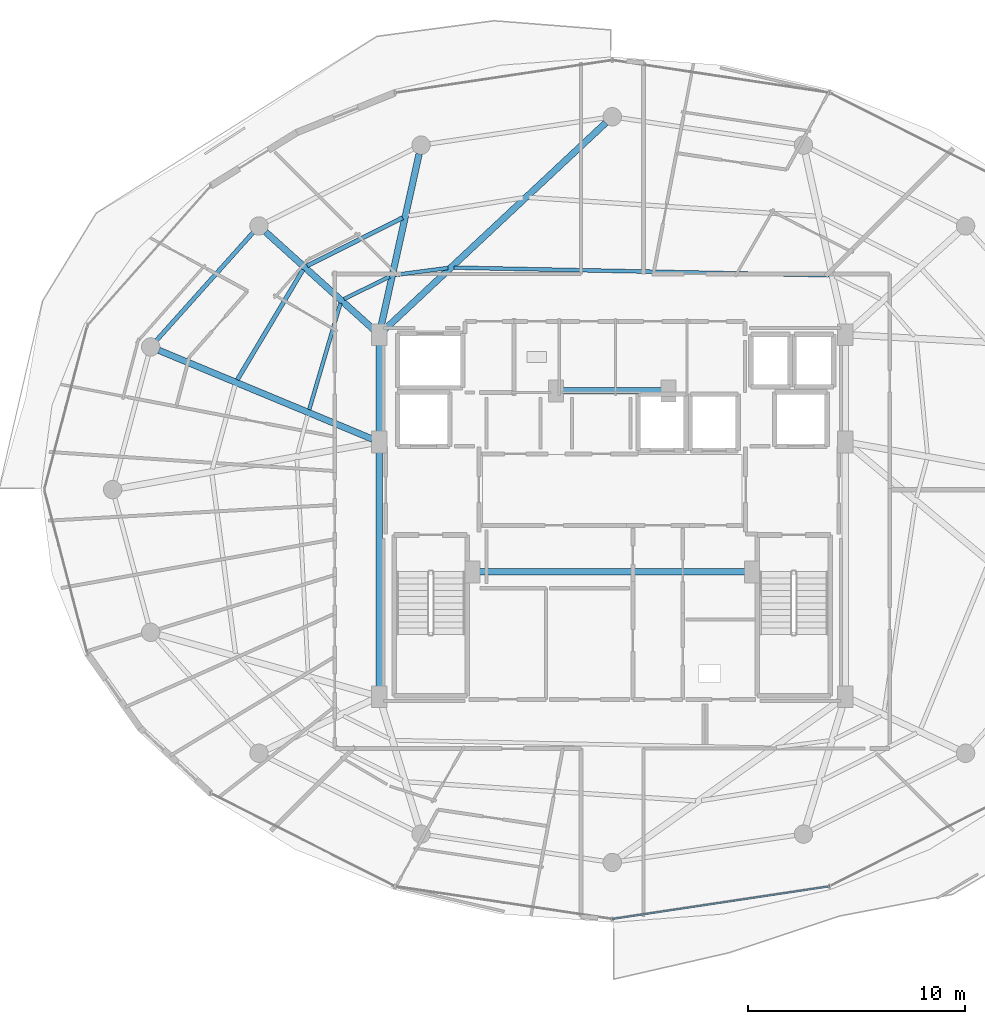
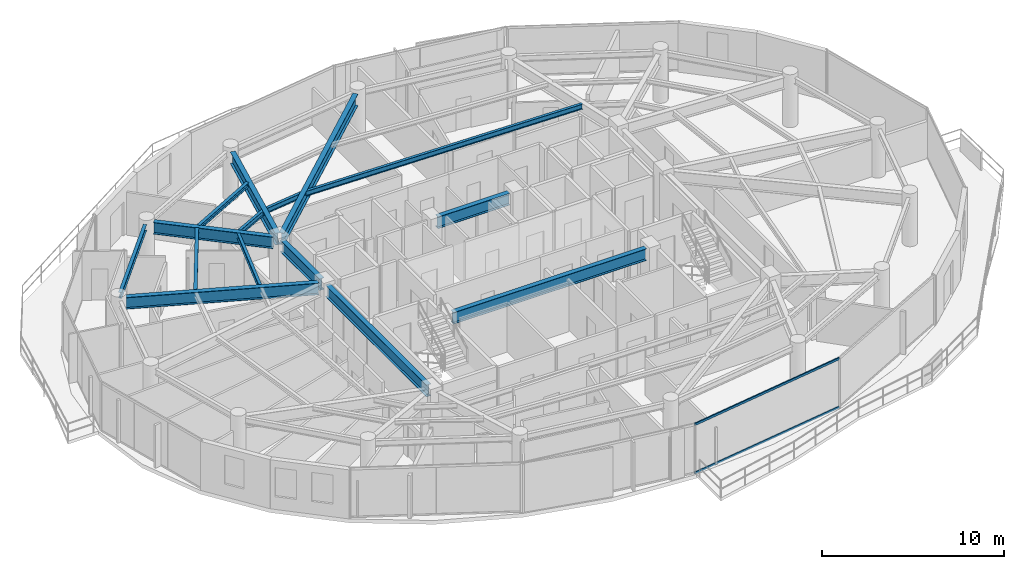
# One storey, part 9 of 29: 15 beams, 2 members, 1 element without a shape of its own.
"""IFC4 building model written with IfcOpenShell, lengths in metres."""

from ifc_helpers import new_model, si_unit, direction, frame, origin, origin_2d, place, context, subcontext, project, spatial, hollow_rectangle, i_section, extrude, material, material_profile, profile_set, type_object, element, aggregate, save


model = new_model("IFC4")

# Units and contexts
model_context = context("Model", 3, precision=1e-05, world=origin(), true_north=direction((0.0, 1.0)))
body_context = subcontext(model_context, "Body", "Model", "MODEL_VIEW")
ifc_project = project(units=[si_unit("LENGTHUNIT", "METRE"), si_unit("AREAUNIT", "SQUARE_METRE"), si_unit("VOLUMEUNIT", "CUBIC_METRE"), si_unit("PLANEANGLEUNIT", "RADIAN"), si_unit("MASSUNIT", "GRAM", prefix="KILO")], contexts=[model_context])

# Site, building, storey
site_placement = place(None, origin())
site = spatial("IfcSite", under=ifc_project, at=site_placement, CompositionType="ELEMENT")
building_placement = place(site_placement, origin())
building = spatial("IfcBuilding", under=site, at=building_placement, Name="Vorneva Point Tower", CompositionType="ELEMENT")
storey_placement = place(building_placement, frame((0.0, 0.0, 273.300048828125)))
storey = spatial("IfcBuildingStorey", under=building, at=storey_placement, Name="L74", CompositionType="ELEMENT", Elevation=273.300048828125)

# Beams
ifc_material_1 = material(Name="Steel S355", Category="steel")
ifc_material_profile_1 = material_profile(ifc_material_1, i_section(OverallWidth=0.300048828125, OverallDepth=0.7880859375, WebThickness=0.014404296875, FlangeThickness=0.02197265625, at=origin_2d()), Name="80Sh1")
ifc_profile_set_1 = profile_set([ifc_material_profile_1], Name="Steel S355")
beam_type_1 = type_object("IfcBeamType", Name="BM-GRD-80Sh1", PredefinedType="USERDEFINED", material=ifc_profile_set_1)
beam_1_placement = place(storey_placement, frame((37.6982421875, 42.91796875, 2.89599609375), z_axis=(-0.730485790946, -0.682927894602, 0.0), x_axis=(0.682927894602, -0.730485790946, 0.0)))
element("IfcBeam", 1, at=beam_1_placement, inside=storey, type_object=beam_type_1, Name="L74 Radial Primary Girder 05", ObjectType="GIRDER", PredefinedType="USERDEFINED", context=body_context, shape_type="SweptSolid", body=[
    extrude(i_section(OverallWidth=0.300048828125, OverallDepth=0.7880859375, WebThickness=0.014404296875, FlangeThickness=0.02197265625, at=origin_2d()), origin(), (0.0, 0.0, 1.0), 13.963134765625),
])
beam_2_placement = place(storey_placement, frame((29.090087890625, 41.4873046875, 2.89599609375), z_axis=(-0.215520742957, -0.976499262342, 0.0), x_axis=(0.976499262342, -0.215520742957, 0.0)))
element("IfcBeam", 2, at=beam_2_placement, inside=storey, type_object=beam_type_1, Name="L74 Radial Primary Girder 06", ObjectType="GIRDER", PredefinedType="USERDEFINED", context=body_context, shape_type="SweptSolid", body=[
    extrude(i_section(OverallWidth=0.300048828125, OverallDepth=0.7880859375, WebThickness=0.014404296875, FlangeThickness=0.02197265625, at=origin_2d()), origin(), (0.0, 0.0, 1.0), 8.197998046875),
])
beam_3_placement = place(storey_placement, frame((22.0078125, 37.885498046875, 2.89599609375), z_axis=(0.7420671051, -0.670325601128, 0.0), x_axis=(0.670325601128, 0.7420671051, 0.0)))
element("IfcBeam", 3, at=beam_3_placement, inside=storey, type_object=beam_type_1, Name="L74 Radial Primary Girder 07", ObjectType="GIRDER", PredefinedType="USERDEFINED", context=body_context, shape_type="SweptSolid", body=[
    extrude(i_section(OverallWidth=0.300048828125, OverallDepth=0.7880859375, WebThickness=0.014404296875, FlangeThickness=0.02197265625, at=origin_2d()), origin(), (0.0, 0.0, 1.0), 6.724365234375),
])
beam_4_placement = place(storey_placement, frame((17.0859375, 32.423583984375, 2.89599609375), z_axis=(0.923448932068, -0.383721344027, 0.0), x_axis=(0.383721344027, 0.923448932068, 0.0)))
element("IfcBeam", 4, at=beam_4_placement, inside=storey, type_object=beam_type_1, Name="L74 Radial Primary Girder 08", ObjectType="GIRDER", PredefinedType="USERDEFINED", context=body_context, shape_type="SweptSolid", body=[
    extrude(i_section(OverallWidth=0.300048828125, OverallDepth=0.7880859375, WebThickness=0.014404296875, FlangeThickness=0.02197265625, at=origin_2d()), origin(), (0.0, 0.0, 1.0), 10.666748046875),
])
beam_5_placement = place(storey_placement, frame((27.25, 16.77001953125, 2.89599609375), z_axis=(0.0, 1.0, 0.0), x_axis=(-1.0, 0.0, 0.0)))
element("IfcBeam", 5, at=beam_5_placement, inside=storey, type_object=beam_type_1, Name="L74 Core Tie Girder CT1", ObjectType="GIRDER", PredefinedType="USERDEFINED", context=body_context, shape_type="SweptSolid", body=[
    extrude(i_section(OverallWidth=0.300048828125, OverallDepth=0.7880859375, WebThickness=0.014404296875, FlangeThickness=0.02197265625, at=origin_2d()), origin(), (0.0, 0.0, 1.0), 11.10986328125),
])
beam_6_placement = place(storey_placement, frame((27.25, 28.52001953125, 2.89599609375), z_axis=(0.0, 1.0, 0.0), x_axis=(-1.0, 0.0, 0.0)))
element("IfcBeam", 6, at=beam_6_placement, inside=storey, type_object=beam_type_1, Name="L74 Core Tie Girder CT2", ObjectType="GIRDER", PredefinedType="USERDEFINED", context=body_context, shape_type="SweptSolid", body=[
    extrude(i_section(OverallWidth=0.300048828125, OverallDepth=0.7880859375, WebThickness=0.014404296875, FlangeThickness=0.02197265625, at=origin_2d()), origin(), (0.0, 0.0, 1.0), 4.31005859375),
])
beam_7_placement = place(storey_placement, frame((35.719970703125, 30.550048828125, 2.89599609375), z_axis=(1.0, 0.0, 0.0), x_axis=(0.0, 1.0, 0.0)))
element("IfcBeam", 7, at=beam_7_placement, inside=storey, type_object=beam_type_1, Name="L74 Core Tie Girder CT8", ObjectType="GIRDER", PredefinedType="USERDEFINED", context=body_context, shape_type="SweptSolid", body=[
    extrude(i_section(OverallWidth=0.300048828125, OverallDepth=0.7880859375, WebThickness=0.014404296875, FlangeThickness=0.02197265625, at=origin_2d()), origin(), (0.0, 0.0, 1.0), 4.56005859375),
])
beam_8_placement = place(storey_placement, frame((31.8701171875, 22.199951171875, 2.89599609375), z_axis=(1.0, 0.0, 0.0), x_axis=(0.0, 1.0, 0.0)))
element("IfcBeam", 8, at=beam_8_placement, inside=storey, type_object=beam_type_1, Name="L74 Core Tie Girder CT7", ObjectType="GIRDER", PredefinedType="USERDEFINED", context=body_context, shape_type="SweptSolid", body=[
    extrude(i_section(OverallWidth=0.300048828125, OverallDepth=0.7880859375, WebThickness=0.014404296875, FlangeThickness=0.02197265625, at=origin_2d()), origin(), (0.0, 0.0, 1.0), 12.259765625),
])
ifc_material_profile_2 = material_profile(ifc_material_1, i_section(OverallWidth=0.199951171875, OverallDepth=0.291015625, WebThickness=0.008056640625, FlangeThickness=0.010986328125, at=origin_2d()), Name="30Sh1")
ifc_profile_set_2 = profile_set([ifc_material_profile_2], Name="Steel S355")
beam_type_2 = type_object("IfcBeamType", Name="BM-SEC-30Sh1", PredefinedType="BEAM", material=ifc_profile_set_2)
beam_9_placement = place(storey_placement, frame((28.330810546875, 38.54345703125, 3.14453125), z_axis=(-0.893046523207, -0.449964340129, 0.0), x_axis=(0.449964340129, -0.893046523207, 0.0)))
element("IfcBeam", 9, at=beam_9_placement, inside=storey, type_object=beam_type_2, Name="L74 Secondary Floor Beam 1.06", PredefinedType="BEAM", context=body_context, shape_type="SweptSolid", body=[
    extrude(i_section(OverallWidth=0.199951171875, OverallDepth=0.291015625, WebThickness=0.008056640625, FlangeThickness=0.010986328125, at=origin_2d()), origin(), (0.0, 0.0, 1.0), 4.930908203125),
])
beam_10_placement = place(storey_placement, frame((23.7333984375, 36.144287109375, 3.14453125), z_axis=(-0.512672626115, -0.858584170849, 0.0), x_axis=(0.858584170849, -0.512672626115, 0.0)))
element("IfcBeam", 10, at=beam_10_placement, inside=storey, type_object=beam_type_2, Name="L74 Secondary Floor Beam 1.07", PredefinedType="BEAM", context=body_context, shape_type="SweptSolid", body=[
    extrude(i_section(OverallWidth=0.199951171875, OverallDepth=0.291015625, WebThickness=0.008056640625, FlangeThickness=0.010986328125, at=origin_2d()), origin(), (0.0, 0.0, 1.0), 5.91162109375),
])
ifc_material_profile_3 = material_profile(ifc_material_1, i_section(OverallWidth=0.174072265625, OverallDepth=0.345947265625, WebThickness=0.006103515625, FlangeThickness=0.009033203125, at=origin_2d()), Name="35B1")
ifc_profile_set_3 = profile_set([ifc_material_profile_3], Name="Steel S355")
beam_type_3 = type_object("IfcBeamType", Name="BM-SEC-35B1", PredefinedType="BEAM", material=ifc_profile_set_3)
beam_11_placement = place(storey_placement, frame((48.0087890625, 35.886474609375, 3.116943359375), z_axis=(-0.999791583609, 0.020415419295, 0.0), x_axis=(-0.020415419295, -0.999791583609, 0.0)))
element("IfcBeam", 11, at=beam_11_placement, inside=storey, type_object=beam_type_3, Name="L74 Secondary Floor Beam 2.04", PredefinedType="BEAM", context=body_context, shape_type="SweptSolid", body=[
    extrude(i_section(OverallWidth=0.174072265625, OverallDepth=0.345947265625, WebThickness=0.006103515625, FlangeThickness=0.009033203125, at=origin_2d()), origin(), (0.0, 0.0, 1.0), 17.316162109375),
])
beam_12_placement = place(storey_placement, frame((30.421630859375, 36.224853515625, 3.116943359375), z_axis=(-0.991292972716, -0.131674759328, 0.0), x_axis=(0.131674759328, -0.991292972716, 0.0)))
element("IfcBeam", 12, at=beam_12_placement, inside=storey, type_object=beam_type_3, Name="L74 Secondary Floor Beam 2.05", PredefinedType="BEAM", context=body_context, shape_type="SweptSolid", body=[
    extrude(i_section(OverallWidth=0.174072265625, OverallDepth=0.345947265625, WebThickness=0.006103515625, FlangeThickness=0.009033203125, at=origin_2d()), origin(), (0.0, 0.0, 1.0), 2.452880859375),
])
beam_13_placement = place(storey_placement, frame((27.7294921875, 35.822998046875, 3.116943359375), z_axis=(-0.897898931546, -0.440201668249, 0.0), x_axis=(0.440201668249, -0.897898931546, 0.0)))
element("IfcBeam", 13, at=beam_13_placement, inside=storey, type_object=beam_type_3, Name="L74 Secondary Floor Beam 2.06", PredefinedType="BEAM", context=body_context, shape_type="SweptSolid", body=[
    extrude(i_section(OverallWidth=0.174072265625, OverallDepth=0.345947265625, WebThickness=0.006103515625, FlangeThickness=0.009033203125, at=origin_2d()), origin(), (0.0, 0.0, 1.0), 2.34423828125),
])
beam_14_placement = place(storey_placement, frame((25.4619140625, 34.59765625, 3.116943359375), z_axis=(-0.281938877831, -0.959432368209, 0.0), x_axis=(0.959432368209, -0.281938877831, 0.0)))
element("IfcBeam", 14, at=beam_14_placement, inside=storey, type_object=beam_type_3, Name="L74 Secondary Floor Beam 2.07", PredefinedType="BEAM", context=body_context, shape_type="SweptSolid", body=[
    extrude(i_section(OverallWidth=0.174072265625, OverallDepth=0.345947265625, WebThickness=0.006103515625, FlangeThickness=0.009033203125, at=origin_2d()), origin(), (0.0, 0.0, 1.0), 5.1142578125),
])
ifc_material_profile_4 = material_profile(ifc_material_1, i_section(OverallWidth=0.198974609375, OverallDepth=0.39599609375, WebThickness=0.007080078125, FlangeThickness=0.010986328125, at=origin_2d()), Name="40B1")
ifc_profile_set_4 = profile_set([ifc_material_profile_4], Name="Steel S355")
beam_type_4 = type_object("IfcBeamType", Name="BM-SPN-40B1", PredefinedType="SPANDREL", material=ifc_profile_set_4)
beam_15_placement = place(storey_placement, frame((21.427734375, 37.856689453125, 3.092041015625), z_axis=(-0.667108282638, -0.744960763554, 0.0), x_axis=(0.744960763554, -0.667108282638, 0.0)))
element("IfcBeam", 15, at=beam_15_placement, inside=storey, type_object=beam_type_4, Name="L74 Perimeter Spandrel Ring Beam 07", PredefinedType="SPANDREL", context=body_context, shape_type="SweptSolid", body=[
    extrude(i_section(OverallWidth=0.198974609375, OverallDepth=0.39599609375, WebThickness=0.007080078125, FlangeThickness=0.010986328125, at=origin_2d()), origin(), (0.0, 0.0, 1.0), 6.670166015625),
])

# Curtain wall, members
ifc_material_2 = material(Name="Pale anodised aluminium", Category="aluminium")
curtain_wall_type = type_object("IfcCurtainWallType", Name="CW-RES-SYS", PredefinedType="NOTDEFINED", material=ifc_material_2)
curtain_wall_placement = place(storey_placement, origin())
curtain_wall = element("IfcCurtainWall", 16, at=curtain_wall_placement, inside=storey, type_object=curtain_wall_type, Name="L74 Unitised Curtain Wall CW-L74-R04", PredefinedType="NOTDEFINED")
ifc_material_profile_5 = material_profile(ifc_material_2, hollow_rectangle(XDim=0.074951171875, YDim=0.14990234375, WallThickness=0.00390625, at=origin_2d()), Name="AL-TRN 150x75x4")
ifc_profile_set_5 = profile_set([ifc_material_profile_5], Name="Pale anodised aluminium")
member_type = type_object("IfcMemberType", Name="CW-TRN-150", PredefinedType="USERDEFINED", material=ifc_profile_set_5)
member_1_placement = place(storey_placement, frame((38.0, 6.18994140625, 0.02001953125), z_axis=(0.988876929856, 0.148736066907, 0.0), x_axis=(-0.148736066907, 0.988876929856, 0.0)))
member_1 = element("IfcMember", 17, at=member_1_placement, type_object=member_type, Name="CW-L74-R04 Transom 03.1", ObjectType="TRANSOM", PredefinedType="USERDEFINED", context=body_context, shape_type="SweptSolid", body=[
    extrude(hollow_rectangle(XDim=0.074951171875, YDim=0.14990234375, WallThickness=0.00390625, at=origin_2d()), origin(), (0.0, 0.0, 1.0), 10.13916015625),
])
member_2_placement = place(storey_placement, frame((38.0, 6.18994140625, 3.27001953125), z_axis=(0.988876929856, 0.148736066907, 0.0), x_axis=(-0.148736066907, 0.988876929856, 0.0)))
member_2 = element("IfcMember", 18, at=member_2_placement, type_object=member_type, Name="CW-L74-R04 Transom 03.2", ObjectType="TRANSOM", PredefinedType="USERDEFINED", context=body_context, shape_type="SweptSolid", body=[
    extrude(hollow_rectangle(XDim=0.074951171875, YDim=0.14990234375, WallThickness=0.00390625, at=origin_2d()), origin(), (0.0, 0.0, 1.0), 10.13916015625),
])
aggregate(curtain_wall, [member_1, member_2])

save(model, "model.ifc")
